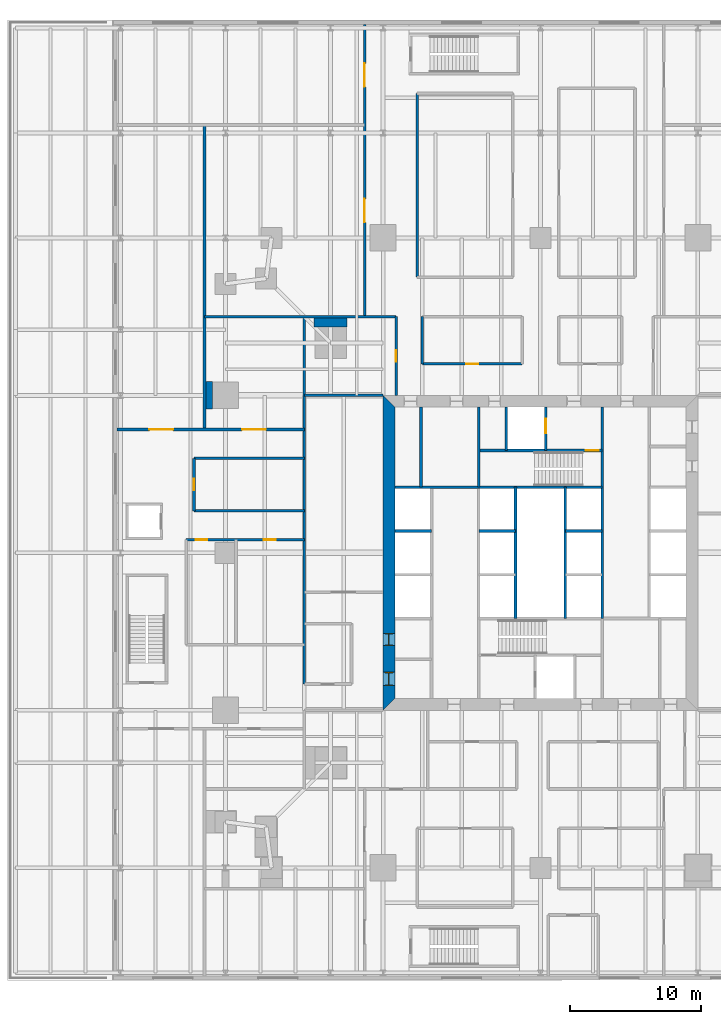
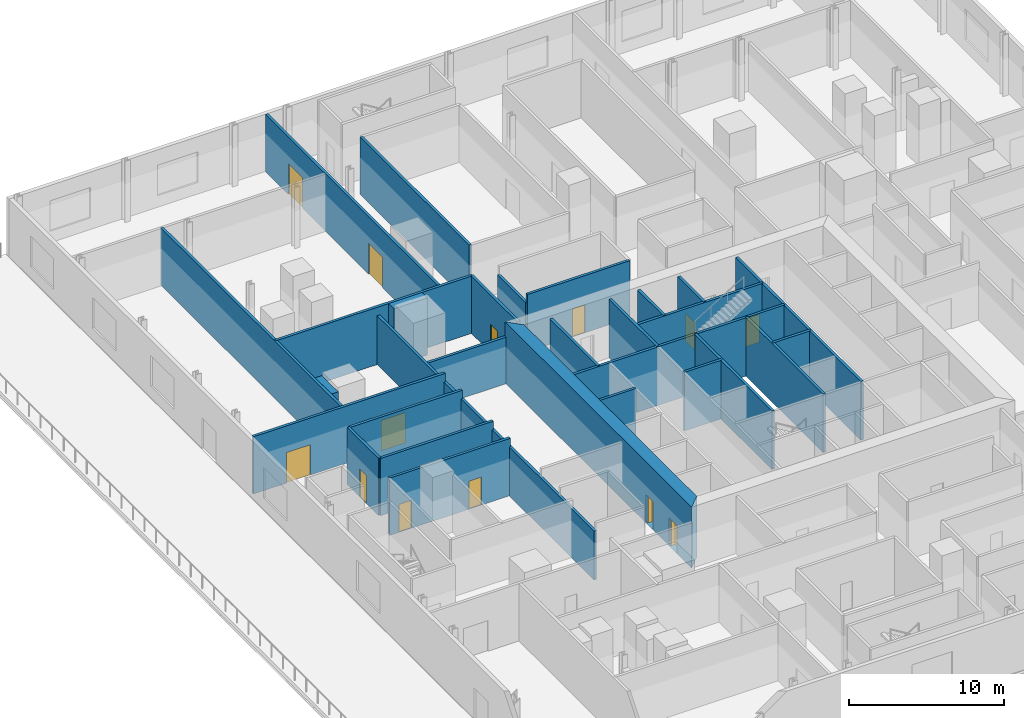
# One storey, part 11 of 17: 29 walls, 13 doors, 13 openings.
"""IFC4 building model written with IfcOpenShell, lengths in metres."""

from ifc_helpers import new_model, si_unit, direction, frame, frame_2d, origin, place, context, subcontext, project, spatial, polyline, rectangle, outline, extrude, material, layer, layer_set, type_object, element, fill, save


model = new_model("IFC4")

# Units and contexts
model_context = context("Model", 3, precision=1e-05, world=origin(), true_north=direction((0.0, 1.0)))
body_context = subcontext(model_context, "Body", "Model", "MODEL_VIEW")
ifc_project = project(units=[si_unit("LENGTHUNIT", "METRE"), si_unit("AREAUNIT", "SQUARE_METRE"), si_unit("VOLUMEUNIT", "CUBIC_METRE"), si_unit("PLANEANGLEUNIT", "RADIAN"), si_unit("MASSUNIT", "GRAM", prefix="KILO")], contexts=[model_context])

# Site, building, storey
site_placement = place(None, origin())
site = spatial("IfcSite", under=ifc_project, at=site_placement, CompositionType="ELEMENT")
building_placement = place(site_placement, origin())
building = spatial("IfcBuilding", under=site, at=building_placement, Name="Fenwick Lantern Interchange", CompositionType="ELEMENT")
storey_placement = place(building_placement, frame((0.0, 0.0, 21.39990234375)))
storey = spatial("IfcBuildingStorey", under=building, at=storey_placement, Name="L04", CompositionType="ELEMENT", Elevation=21.39990234375)

# Walls
ifc_material_1 = material(Name="Fire-rated gypsum board encasement on steel studs, 2 hour", Category="steel")
ifc_layer_1 = layer(ifc_material_1, 2.10009765625)
ifc_layer_set_1 = layer_set([ifc_layer_1], Name="COLUMN PIER 2100")
wall_type_1 = type_object("IfcWallType", Name="COLUMN PIER 2100", PredefinedType="PARTITIONING", material=ifc_layer_set_1)
wall_1_placement = place(storey_placement, frame((-0.5, 37.0, 0.0), z_axis=(0.0, 0.0, 1.0), x_axis=(1.0, 0.0, 0.0)))
element("IfcWall", 1, at=wall_1_placement, inside=storey, type_object=wall_type_1, Name="L04/W/PIER/CW2", PredefinedType="PARTITIONING", context=body_context, shape_type="SweptSolid", body=[
    extrude(rectangle(XDim=0.5, YDim=2.10009765625, at=frame_2d((0.25, 0.0))), origin(), (0.0, 0.0, 1.0), 4.5),
])
ifc_layer_2 = layer(ifc_material_1, 2.5)
ifc_layer_set_2 = layer_set([ifc_layer_2], Name="COLUMN PIER 2500")
wall_type_2 = type_object("IfcWallType", Name="COLUMN PIER 2500", PredefinedType="PARTITIONING", material=ifc_layer_set_2)
wall_2_placement = place(storey_placement, frame((9.0, 42.89990234375, 0.0), z_axis=(0.0, 0.0, 1.0), x_axis=(0.0, -1.0, 0.0)))
element("IfcWall", 2, at=wall_2_placement, inside=storey, type_object=wall_type_2, Name="L04/W/PIER/M4", PredefinedType="PARTITIONING", context=body_context, shape_type="SweptSolid", body=[
    extrude(rectangle(XDim=0.699951171875, YDim=2.5, at=frame_2d((0.35009765625, 0.0))), origin(), (0.0, 0.0, 1.0), 4.5),
])
ifc_material_2 = material(Name="Concrete masonry ASTM C90 Grade N", Category="masonry")
ifc_layer_3 = layer(ifc_material_2, 0.199951171875)
ifc_layer_set_3 = layer_set([ifc_layer_3], Name="Concrete masonry ASTM C90 Grade N")
wall_type_3 = type_object("IfcWallType", Name="CORE PARTITION 200", PredefinedType="PARTITIONING", material=ifc_layer_set_3)
for number, where, z_axis, x_axis, name in (
    (3, (13.89990234375, 26.666748046875, 0.0), (0.0, 0.0, 1.0), (1.0, 0.0, 0.0), "L04/W/CORES/d2"),
    (4, (20.300048828125, 26.666748046875, 0.0), (0.0, 0.0, 1.0), (1.0, 0.0, 0.0), "L04/W/CORES/e2"),
):
    element("IfcWall", number, at=place(storey_placement, frame(where, z_axis=z_axis, x_axis=x_axis)), inside=storey, type_object=wall_type_3, Name=name, PredefinedType="PARTITIONING", context=body_context, shape_type="SweptSolid", body=[
        extrude(rectangle(XDim=2.800048828125, YDim=0.199951171875, at=frame_2d((1.39990234375, 0.0))), origin(), (0.0, 0.0, 1.0), 4.60009765625),
    ])
wall_3_placement = place(storey_placement, frame((23.10009765625, 20.0, 0.0), z_axis=(0.0, 0.0, 1.0), x_axis=(0.0, 1.0, 0.0)))
element("IfcWall", 5, at=wall_3_placement, inside=storey, type_object=wall_type_3, Name="L04/W/CORES/e3", PredefinedType="PARTITIONING", context=body_context, shape_type="SweptSolid", body=[
    extrude(rectangle(XDim=10.0, YDim=0.199951171875, at=frame_2d((5.0, 0.0))), origin(), (0.0, 0.0, 1.0), 4.60009765625),
])
wall_4_placement = place(storey_placement, frame((29.699951171875, 26.666748046875, 0.0), z_axis=(0.0, 0.0, 1.0), x_axis=(-1.0, 0.0, 0.0)))
element("IfcWall", 6, at=wall_4_placement, inside=storey, type_object=wall_type_3, Name="L04/W/COREN/e1", PredefinedType="PARTITIONING", context=body_context, shape_type="SweptSolid", body=[
    extrude(rectangle(XDim=2.800048828125, YDim=0.199951171875, at=frame_2d((1.39990234375, 0.0))), origin(), (0.0, 0.0, 1.0), 4.60009765625),
])
wall_5_placement = place(storey_placement, frame((26.89990234375, 30.0, 0.0), z_axis=(0.0, 0.0, 1.0), x_axis=(0.0, -1.0, 0.0)))
element("IfcWall", 7, at=wall_5_placement, inside=storey, type_object=wall_type_3, Name="L04/W/COREN/e3", PredefinedType="PARTITIONING", context=body_context, shape_type="SweptSolid", body=[
    extrude(rectangle(XDim=10.0, YDim=0.199951171875, at=frame_2d((5.0, 0.0))), origin(), (0.0, 0.0, 1.0), 4.60009765625),
])

# Wall, opening, door
wall_6_placement = place(storey_placement, frame((25.39990234375, 36.10009765625, 0.0), z_axis=(0.0, 0.0, 1.0), x_axis=(0.0, -1.0, 0.0)))
wall_6 = element("IfcWall", 8, at=wall_6_placement, inside=storey, type_object=wall_type_3, Name="L04/W/COREN/h1", PredefinedType="PARTITIONING", context=body_context, shape_type="SweptSolid", body=[
    extrude(rectangle(XDim=3.300048828125, YDim=0.199951171875, at=frame_2d((1.64990234375, 0.0))), origin(), (0.0, 0.0, 1.0), 4.60009765625),
])
opening_1_placement = place(wall_6_placement, frame((0.89990234375, 0.0, 0.0)))
opening_1 = element("IfcOpeningElement", 9, at=opening_1_placement, cuts=wall_6, Name="Opening LD-FL2", PredefinedType="OPENING", context=body_context, shape_type="SweptSolid", body=[
    extrude(rectangle(XDim=1.10009765625, YDim=2.199951171875, at=frame_2d((0.550048828125, 1.10009765625))), frame((0.0, 0.10986328125, 0.0), z_axis=(0.0, -1.0, 0.0), x_axis=(1.0, 0.0, 0.0)), (0.0, 0.0, 1.0), 0.219970703125),
])
ifc_material_3 = material(Name="Steel door and frame", Category="steel")
door_type_1 = type_object("IfcDoorType", Name="LIFT LANDING DOOR 1100 X 2200", OperationType="DOUBLE_DOOR_SLIDING", PredefinedType="DOOR", material=ifc_material_3)
door_1_placement = place(opening_1_placement, origin())
door_1 = element("IfcDoor", 10, at=door_1_placement, inside=storey, type_object=door_type_1, Name="Lift landing door FL2", OperationType="DOUBLE_DOOR_SLIDING", OverallHeight=2.199951171875, OverallWidth=1.10009765625, PredefinedType="DOOR", context=body_context, shape_type="SweptSolid", body=[
    extrude(rectangle(XDim=1.10009765625, YDim=2.199951171875, at=frame_2d((0.550048828125, 1.10009765625))), frame((0.0, 0.02490234375, 0.0), z_axis=(0.0, -1.0, 0.0), x_axis=(1.0, 0.0, 0.0)), (0.0, 0.0, 1.0), 0.050048828125),
])
fill(opening_1, door_1)

# Walls
wall_7_placement = place(storey_placement, frame((22.39990234375, 36.10009765625, 0.0), z_axis=(0.0, 0.0, 1.0), x_axis=(0.0, -1.0, 0.0)))
element("IfcWall", 11, at=wall_7_placement, inside=storey, type_object=wall_type_3, Name="L04/W/COREN/h2", PredefinedType="PARTITIONING", context=body_context, shape_type="SweptSolid", body=[
    extrude(rectangle(XDim=3.300048828125, YDim=0.199951171875, at=frame_2d((1.64990234375, 0.0))), origin(), (0.0, 0.0, 1.0), 4.60009765625),
])
wall_8_placement = place(storey_placement, frame((15.89990234375, 36.10009765625, 0.0), z_axis=(0.0, 0.0, 1.0), x_axis=(0.0, -1.0, 0.0)))
element("IfcWall", 12, at=wall_8_placement, inside=storey, type_object=wall_type_3, Name="L04/W/COREN/i2", PredefinedType="PARTITIONING", context=body_context, shape_type="SweptSolid", body=[
    extrude(rectangle(XDim=6.10009765625, YDim=0.199951171875, at=frame_2d((3.050048828125, 0.0))), origin(), (0.0, 0.0, 1.0), 4.60009765625),
])

# Wall, openings, doors
ifc_material_4 = material(Name="Concrete f'c 70 MPa", Category="concrete")
ifc_layer_4 = layer(ifc_material_4, 0.89990234375)
ifc_layer_set_4 = layer_set([ifc_layer_4], Name="CORE WALL 900")
wall_type_4 = type_object("IfcWallType", Name="CORE WALL 900", PredefinedType="SHEAR", material=ifc_layer_set_4)
wall_9_placement = place(storey_placement, frame((13.449951171875, 36.10009765625, 0.0), z_axis=(0.0, 0.0, 1.0), x_axis=(0.0, -1.0, 0.0)))
wall_9 = element("IfcWall", 13, at=wall_9_placement, inside=storey, type_object=wall_type_4, Name="L04/CORE/W", PredefinedType="SHEAR", context=body_context, shape_type="SweptSolid", body=[
    extrude(outline(polyline([(-0.89990234375, -0.449951171875), (23.10009765625, -0.449951171875), (22.199951171875, 0.449951171875), (0.0, 0.449951171875), (-0.89990234375, -0.449951171875)])), origin(), (0.0, 0.0, 1.0), 4.800048828125),
])
opening_2_placement = place(wall_9_placement, frame((20.199951171875, 0.0, 0.0)))
opening_2 = element("IfcOpeningElement", 14, at=opening_2_placement, cuts=wall_9, Name="Opening L04-D009", PredefinedType="OPENING", context=body_context, shape_type="SweptSolid", body=[
    extrude(rectangle(XDim=1.0, YDim=2.199951171875, at=frame_2d((0.5, 1.10009765625))), frame((0.0, 0.4599609375, 0.0), z_axis=(0.0, -1.0, 0.0), x_axis=(1.0, 0.0, 0.0)), (0.0, 0.0, 1.0), 0.919921875),
])
opening_3_placement = place(wall_9_placement, frame((17.25, 0.0, 0.0)))
opening_3 = element("IfcOpeningElement", 15, at=opening_3_placement, cuts=wall_9, Name="Opening L04-D010", PredefinedType="OPENING", context=body_context, shape_type="SweptSolid", body=[
    extrude(rectangle(XDim=0.89990234375, YDim=2.199951171875, at=frame_2d((0.449951171875, 1.10009765625))), frame((0.0, 0.4599609375, 0.0), z_axis=(0.0, -1.0, 0.0), x_axis=(1.0, 0.0, 0.0)), (0.0, 0.0, 1.0), 0.919921875),
])
door_type_2 = type_object("IfcDoorType", Name="SERVICE DOOR 900 X 2200", OperationType="SINGLE_SWING_LEFT", PredefinedType="DOOR", material=ifc_material_3)
door_2_placement = place(opening_3_placement, origin())
door_2 = element("IfcDoor", 16, at=door_2_placement, inside=storey, type_object=door_type_2, Name="Service door", OperationType="SINGLE_SWING_RIGHT", OverallHeight=2.199951171875, OverallWidth=0.89990234375, PredefinedType="DOOR", context=body_context, shape_type="SweptSolid", body=[
    extrude(rectangle(XDim=0.89990234375, YDim=2.199951171875, at=frame_2d((0.449951171875, 1.10009765625))), frame((0.0, 0.02490234375, 0.0), z_axis=(0.0, -1.0, 0.0), x_axis=(1.0, 0.0, 0.0)), (0.0, 0.0, 1.0), 0.050048828125),
    extrude(outline(polyline([(0.0, 0.0), (0.0400390625, 0.0), (0.0400390625, 2.159912109375), (0.85986328125, 2.159912109375), (0.85986328125, 0.0), (0.89990234375, 0.0), (0.89990234375, 2.199951171875), (0.0, 2.199951171875), (0.0, 0.0)])), frame((0.0, 0.300048828125, 0.0), z_axis=(0.0, -1.0, 0.0), x_axis=(1.0, 0.0, 0.0)), (0.0, 0.0, 1.0), 0.60009765625),
])
fill(opening_3, door_2)
ifc_material_5 = material(Name="Hardwood door and steel frame", Category="steel")
door_type_3 = type_object("IfcDoorType", Name="WC DOOR 1000 X 2200", OperationType="SINGLE_SWING_LEFT", PredefinedType="DOOR", material=ifc_material_5)
door_3_placement = place(opening_2_placement, origin())
door_3 = element("IfcDoor", 17, at=door_3_placement, inside=storey, type_object=door_type_3, Name="Wc door", OperationType="SINGLE_SWING_LEFT", OverallHeight=2.199951171875, OverallWidth=1.0, PredefinedType="DOOR", context=body_context, shape_type="SweptSolid", body=[
    extrude(rectangle(XDim=1.0, YDim=2.199951171875, at=frame_2d((0.5, 1.10009765625))), frame((0.0, 0.02490234375, 0.0), z_axis=(0.0, -1.0, 0.0), x_axis=(1.0, 0.0, 0.0)), (0.0, 0.0, 1.0), 0.050048828125),
    extrude(outline(polyline([(0.0, 0.0), (0.0400390625, 0.0), (0.0400390625, 2.159912109375), (0.9599609375, 2.159912109375), (0.9599609375, 0.0), (1.0, 0.0), (1.0, 2.199951171875), (0.0, 2.199951171875), (0.0, 0.0)])), frame((0.0, 0.300048828125, 0.0), z_axis=(0.0, -1.0, 0.0), x_axis=(1.0, 0.0, 0.0)), (0.0, 0.0, 1.0), 0.60009765625),
])
fill(opening_2, door_3)

# Wall, opening, door
ifc_material_6 = material(Name="Gypsum board on steel studs, 1 hour", Category="steel")
ifc_layer_5 = layer(ifc_material_6, 0.199951171875)
ifc_layer_set_5 = layer_set([ifc_layer_5], Name="ROOM WALL 200")
wall_type_5 = type_object("IfcWallType", Name="ROOM WALL 200", PredefinedType="PARTITIONING", material=ifc_layer_set_5)
wall_10_placement = place(storey_placement, frame((-1.39990234375, 28.199951171875, 0.0), z_axis=(0.0, 0.0, 1.0), x_axis=(0.0, 1.0, 0.0)))
wall_10 = element("IfcWall", 18, at=wall_10_placement, inside=storey, type_object=wall_type_5, Name="L04/W/POD/X-1.4-1", PredefinedType="PARTITIONING", context=body_context, shape_type="SweptSolid", body=[
    extrude(rectangle(XDim=4.0, YDim=0.199951171875, at=frame_2d((2.0, 0.0))), origin(), (0.0, 0.0, 1.0), 4.5),
])
opening_4_placement = place(wall_10_placement, frame((1.550048828125, 0.0, 0.0)))
opening_4 = element("IfcOpeningElement", 19, at=opening_4_placement, cuts=wall_10, Name="Opening L04-D060", PredefinedType="OPENING", context=body_context, shape_type="SweptSolid", body=[
    extrude(rectangle(XDim=0.89990234375, YDim=2.199951171875, at=frame_2d((0.449951171875, 1.10009765625))), frame((0.0, 0.10986328125, 0.0), z_axis=(0.0, -1.0, 0.0), x_axis=(1.0, 0.0, 0.0)), (0.0, 0.0, 1.0), 0.219970703125),
])
door_type_4 = type_object("IfcDoorType", Name="OFFICE DOOR 900 X 2200", OperationType="SINGLE_SWING_LEFT", PredefinedType="DOOR", material=ifc_material_5)
door_4_placement = place(opening_4_placement, frame((0.89990234375, 0.0, 0.0), z_axis=(0.0, 0.0, 1.0), x_axis=(-1.0, 0.0, 0.0)))
door_4 = element("IfcDoor", 20, at=door_4_placement, inside=storey, type_object=door_type_4, Name="Office door", OperationType="SINGLE_SWING_RIGHT", OverallHeight=2.199951171875, OverallWidth=0.89990234375, PredefinedType="DOOR", context=body_context, shape_type="SweptSolid", body=[
    extrude(rectangle(XDim=0.89990234375, YDim=2.199951171875, at=frame_2d((0.449951171875, 1.10009765625))), frame((0.0, 0.02490234375, 0.0), z_axis=(0.0, -1.0, 0.0), x_axis=(1.0, 0.0, 0.0)), (0.0, 0.0, 1.0), 0.050048828125),
])
fill(opening_4, door_4)

# Walls
wall_11_placement = place(storey_placement, frame((-0.60009765625, 34.39990234375, 0.0), z_axis=(0.0, 0.0, 1.0), x_axis=(0.0, 1.0, 0.0)))
element("IfcWall", 21, at=wall_11_placement, inside=storey, type_object=wall_type_5, Name="L04/W/POD/X-0.6-2", PredefinedType="PARTITIONING", context=body_context, shape_type="SweptSolid", body=[
    extrude(rectangle(XDim=23.2001953125, YDim=0.199951171875, at=frame_2d((11.60009765625, 0.0))), origin(), (0.0, 0.0, 1.0), 4.5),
])
wall_12_placement = place(storey_placement, frame((7.0, 15.0, 0.0), z_axis=(0.0, 0.0, 1.0), x_axis=(0.0, 1.0, 0.0)))
element("IfcWall", 22, at=wall_12_placement, inside=storey, type_object=wall_type_5, Name="L04/W/POD/X7-2", PredefinedType="PARTITIONING", context=body_context, shape_type="SweptSolid", body=[
    extrude(rectangle(XDim=28.0, YDim=0.199951171875, at=frame_2d((14.0, 0.0))), origin(), (0.0, 0.0, 1.0), 3.84326171875),
])

# Wall, openings, doors
wall_13_placement = place(storey_placement, frame((11.60009765625, 43.0, 0.0), z_axis=(0.0, 0.0, 1.0), x_axis=(0.0, 1.0, 0.0)))
wall_13 = element("IfcWall", 23, at=wall_13_placement, inside=storey, type_object=wall_type_5, Name="L04/W/POD/X11.6-2", PredefinedType="PARTITIONING", context=body_context, shape_type="SweptSolid", body=[
    extrude(rectangle(XDim=22.25, YDim=0.199951171875, at=frame_2d((11.125, 0.0))), origin(), (0.0, 0.0, 1.0), 4.5),
])
opening_5_placement = place(wall_13_placement, frame((7.175048828125, 0.0, 0.0)))
opening_5 = element("IfcOpeningElement", 24, at=opening_5_placement, cuts=wall_13, Name="Opening L04-D037", PredefinedType="OPENING", context=body_context, shape_type="SweptSolid", body=[
    extrude(rectangle(XDim=1.800048828125, YDim=2.39990234375, at=frame_2d((0.89990234375, 1.199951171875))), frame((0.0, 0.10986328125, 0.0), z_axis=(0.0, -1.0, 0.0), x_axis=(1.0, 0.0, 0.0)), (0.0, 0.0, 1.0), 0.219970703125),
])
opening_6_placement = place(wall_13_placement, frame((17.5, 0.0, 0.0)))
opening_6 = element("IfcOpeningElement", 25, at=opening_6_placement, cuts=wall_13, Name="Opening L04-D038", PredefinedType="OPENING", context=body_context, shape_type="SweptSolid", body=[
    extrude(rectangle(XDim=1.800048828125, YDim=2.39990234375, at=frame_2d((0.89990234375, 1.199951171875))), frame((0.0, 0.10986328125, 0.0), z_axis=(0.0, -1.0, 0.0), x_axis=(1.0, 0.0, 0.0)), (0.0, 0.0, 1.0), 0.219970703125),
])
door_type_5 = type_object("IfcDoorType", Name="ROOM DOOR PAIR 1800 X 2400", OperationType="DOUBLE_DOOR_SINGLE_SWING", PredefinedType="DOOR", material=ifc_material_3)
door_5_placement = place(opening_5_placement, frame((1.800048828125, 0.0, 0.0), z_axis=(0.0, 0.0, 1.0), x_axis=(-1.0, 0.0, 0.0)))
door_5 = element("IfcDoor", 26, at=door_5_placement, inside=storey, type_object=door_type_5, Name="Room door pair", OperationType="DOUBLE_DOOR_SINGLE_SWING", OverallHeight=2.39990234375, OverallWidth=1.800048828125, PredefinedType="DOOR", context=body_context, shape_type="SweptSolid", body=[
    extrude(rectangle(XDim=1.800048828125, YDim=2.39990234375, at=frame_2d((0.89990234375, 1.199951171875))), frame((0.0, 0.02490234375, 0.0), z_axis=(0.0, -1.0, 0.0), x_axis=(1.0, 0.0, 0.0)), (0.0, 0.0, 1.0), 0.050048828125),
])
fill(opening_5, door_5)
door_6_placement = place(opening_6_placement, frame((1.800048828125, 0.0, 0.0), z_axis=(0.0, 0.0, 1.0), x_axis=(-1.0, 0.0, 0.0)))
door_6 = element("IfcDoor", 27, at=door_6_placement, inside=storey, type_object=door_type_5, Name="Room door pair", OperationType="DOUBLE_DOOR_SINGLE_SWING", OverallHeight=2.39990234375, OverallWidth=1.800048828125, PredefinedType="DOOR", context=body_context, shape_type="SweptSolid", body=[
    extrude(rectangle(XDim=1.800048828125, YDim=2.39990234375, at=frame_2d((0.89990234375, 1.199951171875))), frame((0.0, 0.02490234375, 0.0), z_axis=(0.0, -1.0, 0.0), x_axis=(1.0, 0.0, 0.0)), (0.0, 0.0, 1.0), 0.050048828125),
])
fill(opening_6, door_6)

# Wall, opening, door
wall_14_placement = place(storey_placement, frame((14.0, 37.0, 0.0), z_axis=(0.0, 0.0, 1.0), x_axis=(0.0, 1.0, 0.0)))
wall_14 = element("IfcWall", 28, at=wall_14_placement, inside=storey, type_object=wall_type_5, Name="L04/W/POD/X14-1", PredefinedType="PARTITIONING", context=body_context, shape_type="SweptSolid", body=[
    extrude(rectangle(XDim=6.0, YDim=0.199951171875, at=frame_2d((3.0, 0.0))), origin(), (0.0, 0.0, 1.0), 4.5),
])
opening_7_placement = place(wall_14_placement, frame((2.550048828125, 0.0, 0.0)))
opening_7 = element("IfcOpeningElement", 29, at=opening_7_placement, cuts=wall_14, Name="Opening L04-D044", PredefinedType="OPENING", context=body_context, shape_type="SweptSolid", body=[
    extrude(rectangle(XDim=0.89990234375, YDim=2.199951171875, at=frame_2d((0.449951171875, 1.10009765625))), frame((0.0, 0.10986328125, 0.0), z_axis=(0.0, -1.0, 0.0), x_axis=(1.0, 0.0, 0.0)), (0.0, 0.0, 1.0), 0.219970703125),
])
door_7_placement = place(opening_7_placement, origin())
door_7 = element("IfcDoor", 30, at=door_7_placement, inside=storey, type_object=door_type_4, Name="Office door", OperationType="SINGLE_SWING_RIGHT", OverallHeight=2.199951171875, OverallWidth=0.89990234375, PredefinedType="DOOR", context=body_context, shape_type="SweptSolid", body=[
    extrude(rectangle(XDim=0.89990234375, YDim=2.199951171875, at=frame_2d((0.449951171875, 1.10009765625))), frame((0.0, 0.02490234375, 0.0), z_axis=(0.0, -1.0, 0.0), x_axis=(1.0, 0.0, 0.0)), (0.0, 0.0, 1.0), 0.050048828125),
])
fill(opening_7, door_7)

# Walls
wall_15_placement = place(storey_placement, frame((15.60009765625, 46.0, 0.0), z_axis=(0.0, 0.0, 1.0), x_axis=(0.0, 1.0, 0.0)))
element("IfcWall", 31, at=wall_15_placement, inside=storey, type_object=wall_type_5, Name="L04/W/POD/X15.6-2", PredefinedType="PARTITIONING", context=body_context, shape_type="SweptSolid", body=[
    extrude(rectangle(XDim=14.0, YDim=0.199951171875, at=frame_2d((7.0, 0.0))), origin(), (0.0, 0.0, 1.0), 4.5),
])
wall_16_placement = place(storey_placement, frame((16.0, 39.39990234375, 0.0), z_axis=(0.0, 0.0, 1.0), x_axis=(0.0, 1.0, 0.0)))
element("IfcWall", 32, at=wall_16_placement, inside=storey, type_object=wall_type_5, Name="L04/W/POD/X16-1", PredefinedType="PARTITIONING", context=body_context, shape_type="SweptSolid", body=[
    extrude(rectangle(XDim=3.60009765625, YDim=0.199951171875, at=frame_2d((1.800048828125, 0.0))), origin(), (0.0, 0.0, 1.0), 3.84326171875),
])

# Wall, openings, doors
wall_17_placement = place(storey_placement, frame((-2.0, 26.0, 0.0), z_axis=(0.0, 0.0, 1.0), x_axis=(1.0, 0.0, 0.0)))
wall_17 = element("IfcWall", 33, at=wall_17_placement, inside=storey, type_object=wall_type_5, Name="L04/W/POD/Y26-1", PredefinedType="PARTITIONING", context=body_context, shape_type="SweptSolid", body=[
    extrude(rectangle(XDim=9.0, YDim=0.199951171875, at=frame_2d((4.5, 0.0))), origin(), (0.0, 0.0, 1.0), 4.5),
])
opening_8_placement = place(wall_17_placement, frame((0.72509765625, 0.0, 0.0)))
opening_8 = element("IfcOpeningElement", 34, at=opening_8_placement, cuts=wall_17, Name="Opening L04-D049", PredefinedType="OPENING", context=body_context, shape_type="SweptSolid", body=[
    extrude(rectangle(XDim=0.89990234375, YDim=2.199951171875, at=frame_2d((0.449951171875, 1.10009765625))), frame((0.0, 0.10986328125, 0.0), z_axis=(0.0, -1.0, 0.0), x_axis=(1.0, 0.0, 0.0)), (0.0, 0.0, 1.0), 0.219970703125),
])
opening_9_placement = place(wall_17_placement, frame((5.925048828125, 0.0, 0.0)))
opening_9 = element("IfcOpeningElement", 35, at=opening_9_placement, cuts=wall_17, Name="Opening L04-D050", PredefinedType="OPENING", context=body_context, shape_type="SweptSolid", body=[
    extrude(rectangle(XDim=0.89990234375, YDim=2.199951171875, at=frame_2d((0.449951171875, 1.10009765625))), frame((0.0, 0.10986328125, 0.0), z_axis=(0.0, -1.0, 0.0), x_axis=(1.0, 0.0, 0.0)), (0.0, 0.0, 1.0), 0.219970703125),
])
door_8_placement = place(opening_8_placement, frame((0.89990234375, 0.0, 0.0), z_axis=(0.0, 0.0, 1.0), x_axis=(-1.0, 0.0, 0.0)))
door_8 = element("IfcDoor", 36, at=door_8_placement, inside=storey, type_object=door_type_4, Name="Office door", OperationType="SINGLE_SWING_RIGHT", OverallHeight=2.199951171875, OverallWidth=0.89990234375, PredefinedType="DOOR", context=body_context, shape_type="SweptSolid", body=[
    extrude(rectangle(XDim=0.89990234375, YDim=2.199951171875, at=frame_2d((0.449951171875, 1.10009765625))), frame((0.0, 0.02490234375, 0.0), z_axis=(0.0, -1.0, 0.0), x_axis=(1.0, 0.0, 0.0)), (0.0, 0.0, 1.0), 0.050048828125),
])
fill(opening_8, door_8)
door_9_placement = place(opening_9_placement, frame((0.89990234375, 0.0, 0.0), z_axis=(0.0, 0.0, 1.0), x_axis=(-1.0, 0.0, 0.0)))
door_9 = element("IfcDoor", 37, at=door_9_placement, inside=storey, type_object=door_type_4, Name="Office door", OperationType="SINGLE_SWING_RIGHT", OverallHeight=2.199951171875, OverallWidth=0.89990234375, PredefinedType="DOOR", context=body_context, shape_type="SweptSolid", body=[
    extrude(rectangle(XDim=0.89990234375, YDim=2.199951171875, at=frame_2d((0.449951171875, 1.10009765625))), frame((0.0, 0.02490234375, 0.0), z_axis=(0.0, -1.0, 0.0), x_axis=(1.0, 0.0, 0.0)), (0.0, 0.0, 1.0), 0.050048828125),
])
fill(opening_9, door_9)

# Walls
for number, where, z_axis, x_axis, name in (
    (38, (-1.39990234375, 28.199951171875, 0.0), (0.0, 0.0, 1.0), (1.0, 0.0, 0.0), "L04/W/POD/Y28.2-1"),
    (39, (-1.39990234375, 32.199951171875, 0.0), (0.0, 0.0, 1.0), (1.0, 0.0, 0.0), "L04/W/POD/Y32.2-1"),
):
    element("IfcWall", number, at=place(storey_placement, frame(where, z_axis=z_axis, x_axis=x_axis)), inside=storey, type_object=wall_type_5, Name=name, PredefinedType="PARTITIONING", context=body_context, shape_type="SweptSolid", body=[
        extrude(rectangle(XDim=8.39990234375, YDim=0.199951171875, at=frame_2d((4.199951171875, 0.0))), origin(), (0.0, 0.0, 1.0), 4.5),
    ])

# Wall, openings, doors
wall_18_placement = place(storey_placement, frame((-7.25, 34.39990234375, 0.0), z_axis=(0.0, 0.0, 1.0), x_axis=(1.0, 0.0, 0.0)))
wall_18 = element("IfcWall", 40, at=wall_18_placement, inside=storey, type_object=wall_type_5, Name="L04/W/POD/Y34.4-1", PredefinedType="PARTITIONING", context=body_context, shape_type="SweptSolid", body=[
    extrude(rectangle(XDim=14.25, YDim=0.199951171875, at=frame_2d((7.125, 0.0))), origin(), (0.0, 0.0, 1.0), 4.5),
])
opening_10_placement = place(wall_18_placement, frame((9.52490234375, 0.0, 0.0)))
opening_10 = element("IfcOpeningElement", 41, at=opening_10_placement, cuts=wall_18, Name="Opening L04-D035", PredefinedType="OPENING", context=body_context, shape_type="SweptSolid", body=[
    extrude(rectangle(XDim=1.800048828125, YDim=2.39990234375, at=frame_2d((0.89990234375, 1.199951171875))), frame((0.0, 0.10986328125, 0.0), z_axis=(0.0, -1.0, 0.0), x_axis=(1.0, 0.0, 0.0)), (0.0, 0.0, 1.0), 0.219970703125),
])
opening_11_placement = place(wall_18_placement, frame((2.449951171875, 0.0, 0.0)))
opening_11 = element("IfcOpeningElement", 42, at=opening_11_placement, cuts=wall_18, Name="Opening L04-D036", PredefinedType="OPENING", context=body_context, shape_type="SweptSolid", body=[
    extrude(rectangle(XDim=1.800048828125, YDim=2.39990234375, at=frame_2d((0.89990234375, 1.199951171875))), frame((0.0, 0.10986328125, 0.0), z_axis=(0.0, -1.0, 0.0), x_axis=(1.0, 0.0, 0.0)), (0.0, 0.0, 1.0), 0.219970703125),
])
door_10_placement = place(opening_10_placement, frame((1.800048828125, 0.0, 0.0), z_axis=(0.0, 0.0, 1.0), x_axis=(-1.0, 0.0, 0.0)))
door_10 = element("IfcDoor", 43, at=door_10_placement, inside=storey, type_object=door_type_5, Name="Room door pair", OperationType="DOUBLE_DOOR_SINGLE_SWING", OverallHeight=2.39990234375, OverallWidth=1.800048828125, PredefinedType="DOOR", context=body_context, shape_type="SweptSolid", body=[
    extrude(rectangle(XDim=1.800048828125, YDim=2.39990234375, at=frame_2d((0.89990234375, 1.199951171875))), frame((0.0, 0.02490234375, 0.0), z_axis=(0.0, -1.0, 0.0), x_axis=(1.0, 0.0, 0.0)), (0.0, 0.0, 1.0), 0.050048828125),
])
fill(opening_10, door_10)
door_11_placement = place(opening_11_placement, frame((1.800048828125, 0.0, 0.0), z_axis=(0.0, 0.0, 1.0), x_axis=(-1.0, 0.0, 0.0)))
door_11 = element("IfcDoor", 44, at=door_11_placement, inside=storey, type_object=door_type_5, Name="Room door pair", OperationType="DOUBLE_DOOR_SINGLE_SWING", OverallHeight=2.39990234375, OverallWidth=1.800048828125, PredefinedType="DOOR", context=body_context, shape_type="SweptSolid", body=[
    extrude(rectangle(XDim=1.800048828125, YDim=2.39990234375, at=frame_2d((0.89990234375, 1.199951171875))), frame((0.0, 0.02490234375, 0.0), z_axis=(0.0, -1.0, 0.0), x_axis=(1.0, 0.0, 0.0)), (0.0, 0.0, 1.0), 0.050048828125),
])
fill(opening_11, door_11)

# Wall
wall_19_placement = place(storey_placement, frame((7.0, 37.0, 0.0), z_axis=(0.0, 0.0, 1.0), x_axis=(1.0, 0.0, 0.0)))
element("IfcWall", 45, at=wall_19_placement, inside=storey, type_object=wall_type_5, Name="L04/W/POD/Y37-1", PredefinedType="PARTITIONING", context=body_context, shape_type="SweptSolid", body=[
    extrude(rectangle(XDim=6.0, YDim=0.199951171875, at=frame_2d((3.0, 0.0))), origin(), (0.0, 0.0, 1.0), 3.652587890625),
])

# Wall, opening, door
wall_20_placement = place(storey_placement, frame((16.0, 39.39990234375, 0.0), z_axis=(0.0, 0.0, 1.0), x_axis=(1.0, 0.0, 0.0)))
wall_20 = element("IfcWall", 46, at=wall_20_placement, inside=storey, type_object=wall_type_5, Name="L04/W/POD/Y39.4-1", PredefinedType="PARTITIONING", context=body_context, shape_type="SweptSolid", body=[
    extrude(rectangle(XDim=7.60009765625, YDim=0.199951171875, at=frame_2d((3.800048828125, 0.0))), origin(), (0.0, 0.0, 1.0), 4.5),
])
opening_12_placement = place(wall_20_placement, frame((3.35009765625, 0.0, 0.0)))
opening_12 = element("IfcOpeningElement", 47, at=opening_12_placement, cuts=wall_20, Name="Opening L04-D052", PredefinedType="OPENING", context=body_context, shape_type="SweptSolid", body=[
    extrude(rectangle(XDim=0.89990234375, YDim=2.199951171875, at=frame_2d((0.449951171875, 1.10009765625))), frame((0.0, 0.10986328125, 0.0), z_axis=(0.0, -1.0, 0.0), x_axis=(1.0, 0.0, 0.0)), (0.0, 0.0, 1.0), 0.219970703125),
])
door_12_placement = place(opening_12_placement, origin())
door_12 = element("IfcDoor", 48, at=door_12_placement, inside=storey, type_object=door_type_4, Name="Office door", OperationType="SINGLE_SWING_LEFT", OverallHeight=2.199951171875, OverallWidth=0.89990234375, PredefinedType="DOOR", context=body_context, shape_type="SweptSolid", body=[
    extrude(rectangle(XDim=0.89990234375, YDim=2.199951171875, at=frame_2d((0.449951171875, 1.10009765625))), frame((0.0, 0.02490234375, 0.0), z_axis=(0.0, -1.0, 0.0), x_axis=(1.0, 0.0, 0.0)), (0.0, 0.0, 1.0), 0.050048828125),
])
fill(opening_12, door_12)

# Walls
wall_21_placement = place(storey_placement, frame((-0.60009765625, 43.0, 0.0), z_axis=(0.0, 0.0, 1.0), x_axis=(1.0, 0.0, 0.0)))
element("IfcWall", 49, at=wall_21_placement, inside=storey, type_object=wall_type_5, Name="L04/W/POD/Y43-1", PredefinedType="PARTITIONING", context=body_context, shape_type="SweptSolid", body=[
    extrude(rectangle(XDim=14.60009765625, YDim=0.199951171875, at=frame_2d((7.300048828125, 0.0))), origin(), (0.0, 0.0, 1.0), 4.5),
])
ifc_material_7 = material(Name="Concrete f'c 45 MPa", Category="concrete")
ifc_layer_6 = layer(ifc_material_7, 0.199951171875)
ifc_layer_set_6 = layer_set([ifc_layer_6], Name="STAIR CORE WALL 200")
wall_type_6 = type_object("IfcWallType", Name="STAIR CORE WALL 200", PredefinedType="SOLIDWALL", material=ifc_layer_set_6)
wall_22_placement = place(storey_placement, frame((29.699951171875, 36.10009765625, 0.0), z_axis=(0.0, 0.0, 1.0), x_axis=(0.0, -1.0, 0.0)))
element("IfcWall", 50, at=wall_22_placement, inside=storey, type_object=wall_type_6, Name="L04/W/COREN/b", PredefinedType="SOLIDWALL", context=body_context, shape_type="SweptSolid", body=[
    extrude(rectangle(XDim=16.10009765625, YDim=0.199951171875, at=frame_2d((8.050048828125, 0.0))), origin(), (0.0, 0.0, 1.0), 4.60009765625),
])

# Wall, opening, door
wall_23_placement = place(storey_placement, frame((29.699951171875, 32.800048828125, 0.0), z_axis=(0.0, 0.0, 1.0), x_axis=(-1.0, 0.0, 0.0)))
wall_23 = element("IfcWall", 51, at=wall_23_placement, inside=storey, type_object=wall_type_6, Name="L04/W/COREN/g1", PredefinedType="SOLIDWALL", context=body_context, shape_type="SweptSolid", body=[
    extrude(rectangle(XDim=9.39990234375, YDim=0.199951171875, at=frame_2d((4.699951171875, 0.0))), origin(), (0.0, 0.0, 1.0), 4.60009765625),
])
opening_13_placement = place(wall_23_placement, frame((0.25, 0.0, 0.0)))
opening_13 = element("IfcOpeningElement", 52, at=opening_13_placement, cuts=wall_23, Name="Opening L04-D013", PredefinedType="OPENING", context=body_context, shape_type="SweptSolid", body=[
    extrude(rectangle(XDim=1.0, YDim=2.199951171875, at=frame_2d((0.5, 1.10009765625))), frame((0.0, 0.10986328125, 0.0), z_axis=(0.0, -1.0, 0.0), x_axis=(1.0, 0.0, 0.0)), (0.0, 0.0, 1.0), 0.219970703125),
])
door_type_6 = type_object("IfcDoorType", Name="STAIR DOOR 1000 X 2200", OperationType="SINGLE_SWING_LEFT", PredefinedType="DOOR", material=ifc_material_3)
door_13_placement = place(opening_13_placement, origin())
door_13 = element("IfcDoor", 53, at=door_13_placement, inside=storey, type_object=door_type_6, Name="Stair door", OperationType="SINGLE_SWING_LEFT", OverallHeight=2.199951171875, OverallWidth=1.0, PredefinedType="DOOR", context=body_context, shape_type="SweptSolid", body=[
    extrude(rectangle(XDim=1.0, YDim=2.199951171875, at=frame_2d((0.5, 1.10009765625))), frame((0.0, 0.02490234375, 0.0), z_axis=(0.0, -1.0, 0.0), x_axis=(1.0, 0.0, 0.0)), (0.0, 0.0, 1.0), 0.050048828125),
])
fill(opening_13, door_13)

# Walls
wall_24_placement = place(storey_placement, frame((29.699951171875, 30.0, 0.0), z_axis=(0.0, 0.0, 1.0), x_axis=(-1.0, 0.0, 0.0)))
element("IfcWall", 54, at=wall_24_placement, inside=storey, type_object=wall_type_6, Name="L04/W/COREN/g2", PredefinedType="SOLIDWALL", context=body_context, shape_type="SweptSolid", body=[
    extrude(rectangle(XDim=15.800048828125, YDim=0.199951171875, at=frame_2d((7.89990234375, 0.0))), origin(), (0.0, 0.0, 1.0), 4.60009765625),
])
wall_25_placement = place(storey_placement, frame((20.300048828125, 36.10009765625, 0.0), z_axis=(0.0, 0.0, 1.0), x_axis=(0.0, -1.0, 0.0)))
element("IfcWall", 55, at=wall_25_placement, inside=storey, type_object=wall_type_6, Name="L04/W/COREN/i1", PredefinedType="SOLIDWALL", context=body_context, shape_type="SweptSolid", body=[
    extrude(rectangle(XDim=6.10009765625, YDim=0.199951171875, at=frame_2d((3.050048828125, 0.0))), origin(), (0.0, 0.0, 1.0), 4.60009765625),
])

save(model, "model.ifc")
